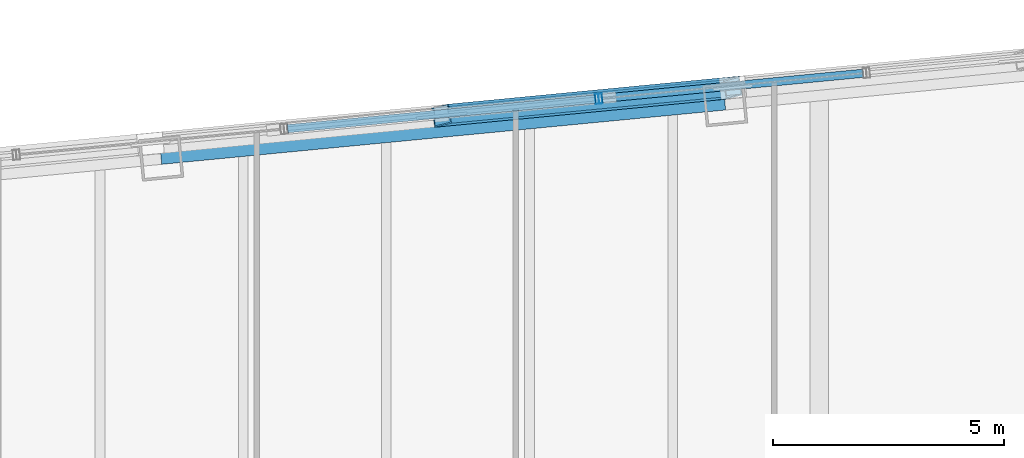
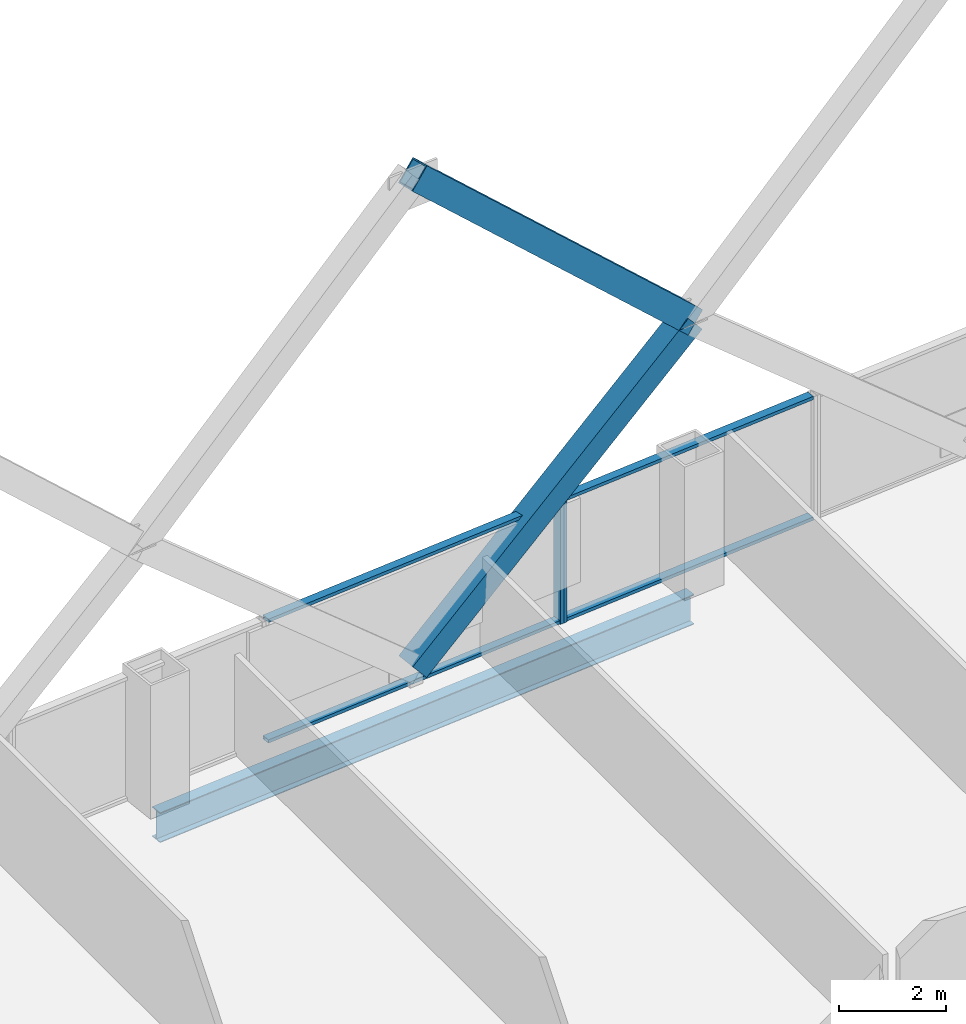
# One storey, part 22 of 32: 8 members, 1 beam, 2 elements without a shape of their own.
"""IFC4 building model written with IfcOpenShell, lengths in metres."""

from ifc_helpers import new_model, si_unit, direction, frame, origin, origin_2d, place, context, subcontext, project, spatial, hollow_rectangle, i_section, extrude, material, layer, layer_set, material_profile, profile_set, type_object, element, aggregate, save


model = new_model("IFC4")

# Units and contexts
model_context = context("Model", 3, precision=1e-05, world=origin(), true_north=direction((0.0, 1.0)))
body_context = subcontext(model_context, "Body", "Model", "MODEL_VIEW")
ifc_project = project(units=[si_unit("LENGTHUNIT", "METRE"), si_unit("AREAUNIT", "SQUARE_METRE"), si_unit("VOLUMEUNIT", "CUBIC_METRE"), si_unit("PLANEANGLEUNIT", "RADIAN"), si_unit("MASSUNIT", "GRAM", prefix="KILO")], contexts=[model_context])

# Site, building, storey
site_placement = place(None, origin())
site = spatial("IfcSite", under=ifc_project, at=site_placement, CompositionType="ELEMENT")
building_placement = place(site_placement, origin())
building = spatial("IfcBuilding", under=site, at=building_placement, Name="Qhalaya Broadcast Tower", CompositionType="ELEMENT")
storey_placement = place(building_placement, frame((0.0, 0.0, 81.64990234375)))
storey = spatial("IfcBuildingStorey", under=building, at=storey_placement, Name="L23", CompositionType="ELEMENT", Elevation=81.64990234375)

# Members
ifc_material_1 = material(Name="Structural Steel ASTM A572 Grade 50", Category="steel")
ifc_material_profile_1 = material_profile(ifc_material_1, hollow_rectangle(XDim=0.419921875, YDim=0.550048828125, WallThickness=0.028076171875, at=origin_2d()), Name="BOX 420x550x28")
ifc_profile_set_1 = profile_set([ifc_material_profile_1], Name="Structural Steel ASTM A572 Grade 50")
member_type_1 = type_object("IfcMemberType", Name="Exoskeleton Diamond Diagonal Mid-Low EX2", PredefinedType="BRACE", material=ifc_profile_set_1)
member_1_placement = place(storey_placement, frame((1.197509765625, 27.867431640625, 0.360107421875), z_axis=(0.758635580976, 0.073066636585, 0.647405067864), x_axis=(-0.157193441444, 0.984862499798, 0.073048466507)))
element("IfcMember", 1, at=member_1_placement, inside=storey, type_object=member_type_1, Name="B2 Exoskeleton Diamond Brace N2-D1", PredefinedType="BRACE", context=body_context, shape_type="SweptSolid", body=[
    extrude(hollow_rectangle(XDim=0.419921875, YDim=0.550048828125, WallThickness=0.028076171875, at=origin_2d()), origin(), (0.0, 0.0, 1.0), 8.309814453125),
])
member_2_placement = place(storey_placement, frame((7.501708984375, 28.474609375, 5.739990234375), z_axis=(-0.730618100613, -0.070368182799, 0.6791505797), x_axis=(0.160222099068, -0.984570800026, 0.070350683768)))
element("IfcMember", 2, at=member_2_placement, inside=storey, type_object=member_type_1, Name="B2 Exoskeleton Diamond Brace N2-D3", PredefinedType="BRACE", context=body_context, shape_type="SweptSolid", body=[
    extrude(hollow_rectangle(XDim=0.419921875, YDim=0.550048828125, WallThickness=0.028076171875, at=origin_2d()), origin(), (0.0, 0.0, 1.0), 8.628662109375),
])

# Beam
ifc_material_2 = material(Name="Structural Steel ASTM A992 Grade 50", Category="steel")
ifc_material_profile_2 = material_profile(ifc_material_2, i_section(OverallWidth=0.25390625, OverallDepth=0.68310546875, WebThickness=0.012451171875, FlangeThickness=0.01904296875, at=origin_2d()), Name="W27X94")
ifc_profile_set_2 = profile_set([ifc_material_profile_2], Name="Structural Steel ASTM A992 Grade 50")
beam_type = type_object("IfcBeamType", Name="Perimeter Ring Spandrel Beam SP1", PredefinedType="SPANDREL", material=ifc_profile_set_2)
beam_placement = place(storey_placement, frame((7.335205078125, 28.116943359375, -0.5615234375), z_axis=(-0.99539563662, -0.095851586307, 0.0), x_axis=(0.095851586307, -0.99539563662, 0.0)))
element("IfcBeam", 3, at=beam_placement, inside=storey, type_object=beam_type, Name="L23 SP1 L23-SPR-10", PredefinedType="SPANDREL", context=body_context, shape_type="SweptSolid", body=[
    extrude(i_section(OverallWidth=0.25390625, OverallDepth=0.68310546875, WebThickness=0.012451171875, FlangeThickness=0.01904296875, at=origin_2d()), origin(), (0.0, 0.0, 1.0), 12.2666015625),
])

# Curtain wall, member
ifc_material_3 = material(Name="Solar-Control Low-E Triple Glazing", Category="glass")
ifc_layer_1 = layer(ifc_material_3, 0.219970703125, Name="Solar-Control Low-E Triple Glazing")
ifc_layer_set_1 = layer_set([ifc_layer_1], Name="Solar-Control Low-E Triple Glazing")
curtain_wall_type_1 = type_object("IfcCurtainWallType", Name="Even-Block 4-Storey Double-Module Curtain Wall CW-03", PredefinedType="NOTDEFINED", material=ifc_layer_set_1)
curtain_wall_1_placement = place(storey_placement, origin())
curtain_wall_1 = element("IfcCurtainWall", 4, at=curtain_wall_1_placement, inside=storey, type_object=curtain_wall_type_1, Name="L23 Unitised Curtain Wall L23-CW-N3", PredefinedType="NOTDEFINED")
ifc_material_4 = material(Name="Anodised Aluminium 6063-T6", Category="aluminium")
ifc_material_profile_3 = material_profile(ifc_material_4, hollow_rectangle(XDim=0.074951171875, YDim=0.219970703125, WallThickness=0.00390625, at=origin_2d()), Name="ALU-MUL 75x220x4")
ifc_profile_set_3 = profile_set([ifc_material_profile_3], Name="Anodised Aluminium 6063-T6")
member_type_2 = type_object("IfcMemberType", Name="Unitised Curtain-Wall Mullion M01", PredefinedType="MULLION", material=ifc_profile_set_3)
member_3_placement = place(storey_placement, frame((4.63720703125, 28.239013671875, 0.0), z_axis=(0.0, 0.0, 1.0), x_axis=(-0.995396371729, -0.095843952075, 0.0)))
member_3 = element("IfcMember", 5, at=member_3_placement, type_object=member_type_2, Name="CW-03 mullion 2", PredefinedType="MULLION", context=body_context, shape_type="SweptSolid", body=[
    extrude(hollow_rectangle(XDim=0.074951171875, YDim=0.219970703125, WallThickness=0.00390625, at=origin_2d()), origin(), (0.0, 0.0, 1.0), 2.830078125),
])

ifc_material_5 = material(Name="Fired Architectural Terracotta", Category="masonry")
ifc_layer_2 = layer(ifc_material_5, 0.219970703125, Name="Fired Architectural Terracotta")
ifc_layer_set_2 = layer_set([ifc_layer_2], Name="Fired Architectural Terracotta")
curtain_wall_type_2 = type_object("IfcCurtainWallType", Name="Block-Cap Unitised Terracotta Spandrel Wall CW-07", PredefinedType="NOTDEFINED", material=ifc_layer_set_2)
curtain_wall_2_placement = place(storey_placement, origin())
curtain_wall_2 = element("IfcCurtainWall", 6, at=curtain_wall_2_placement, inside=storey, type_object=curtain_wall_type_2, Name="L23 Unitised Curtain Wall L23-CW-N4", PredefinedType="NOTDEFINED")
member_4_placement = place(storey_placement, frame((4.562744140625, 28.231689453125, 0.0), z_axis=(0.0, 0.0, 1.0), x_axis=(-0.995395768185, -0.095850220023, 0.0)))
member_4 = element("IfcMember", 7, at=member_4_placement, type_object=member_type_2, Name="CW-07 mullion 1", PredefinedType="MULLION", context=body_context, shape_type="SweptSolid", body=[
    extrude(hollow_rectangle(XDim=0.074951171875, YDim=0.219970703125, WallThickness=0.00390625, at=origin_2d()), origin(), (0.0, 0.0, 1.0), 2.830078125),
])

# Member
ifc_material_profile_4 = material_profile(ifc_material_4, hollow_rectangle(XDim=0.074951171875, YDim=0.179931640625, WallThickness=0.00390625, at=origin_2d()), Name="ALU-TRN 75x180x4")
ifc_profile_set_4 = profile_set([ifc_material_profile_4], Name="Anodised Aluminium 6063-T6")
member_type_3 = type_object("IfcMemberType", Name="Unitised Curtain-Wall Transom T01", PredefinedType="USERDEFINED", material=ifc_profile_set_4)
member_5_placement = place(storey_placement, frame((10.321533203125, 28.7861328125, 0.03759765625), z_axis=(-0.995396878598, -0.095838687792, 0.0), x_axis=(0.0, 0.0, 1.0)))
member_5 = element("IfcMember", 8, at=member_5_placement, type_object=member_type_3, Name="CW-03 transom 1.1", ObjectType="TRANSOM", PredefinedType="USERDEFINED", context=body_context, shape_type="SweptSolid", body=[
    extrude(hollow_rectangle(XDim=0.074951171875, YDim=0.179931640625, WallThickness=0.00390625, at=origin_2d()), origin(), (0.0, 0.0, 1.0), 5.673095703125),
])

member_6_placement = place(storey_placement, frame((10.321533203125, 28.7861328125, 2.79248046875), z_axis=(-0.995396878598, -0.095838687792, 0.0), x_axis=(0.0, 0.0, 1.0)))
member_6 = element("IfcMember", 9, at=member_6_placement, type_object=member_type_3, Name="CW-03 transom 1.2", ObjectType="TRANSOM", PredefinedType="USERDEFINED", context=body_context, shape_type="SweptSolid", body=[
    extrude(hollow_rectangle(XDim=0.074951171875, YDim=0.179931640625, WallThickness=0.00390625, at=origin_2d()), origin(), (0.0, 0.0, 1.0), 5.673095703125),
])

aggregate(curtain_wall_1, [member_3, member_5, member_6])

member_7_placement = place(storey_placement, frame((4.525390625, 28.22802734375, 0.03759765625), z_axis=(-0.995396257492, -0.095845138486, 0.0), x_axis=(0.0, 0.0, 1.0)))
member_7 = element("IfcMember", 10, at=member_7_placement, type_object=member_type_3, Name="CW-07 transom 1.1", ObjectType="TRANSOM", PredefinedType="USERDEFINED", context=body_context, shape_type="SweptSolid", body=[
    extrude(hollow_rectangle(XDim=0.074951171875, YDim=0.179931640625, WallThickness=0.00390625, at=origin_2d()), origin(), (0.0, 0.0, 1.0), 6.694091796875),
])

member_8_placement = place(storey_placement, frame((4.525390625, 28.22802734375, 2.79248046875), z_axis=(-0.995396257492, -0.095845138486, 0.0), x_axis=(0.0, 0.0, 1.0)))
member_8 = element("IfcMember", 11, at=member_8_placement, type_object=member_type_3, Name="CW-07 transom 1.2", ObjectType="TRANSOM", PredefinedType="USERDEFINED", context=body_context, shape_type="SweptSolid", body=[
    extrude(hollow_rectangle(XDim=0.074951171875, YDim=0.179931640625, WallThickness=0.00390625, at=origin_2d()), origin(), (0.0, 0.0, 1.0), 6.694091796875),
])

aggregate(curtain_wall_2, [member_4, member_7, member_8])

save(model, "model.ifc")
